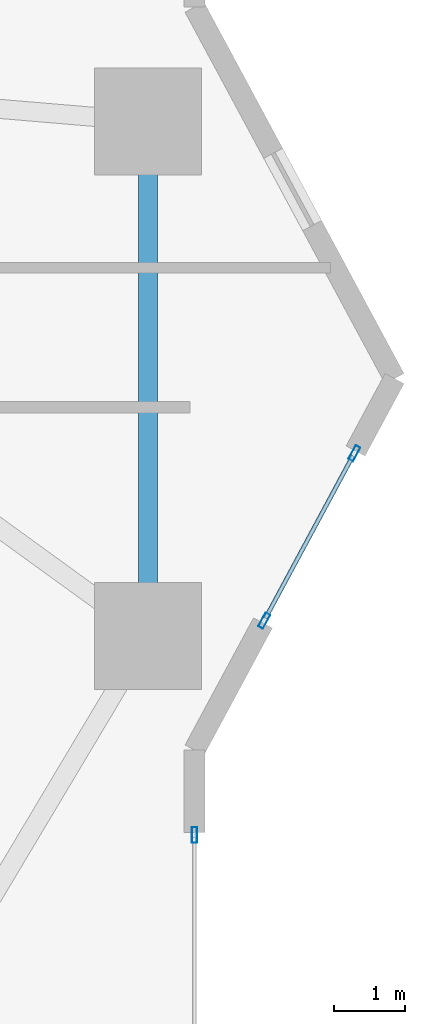
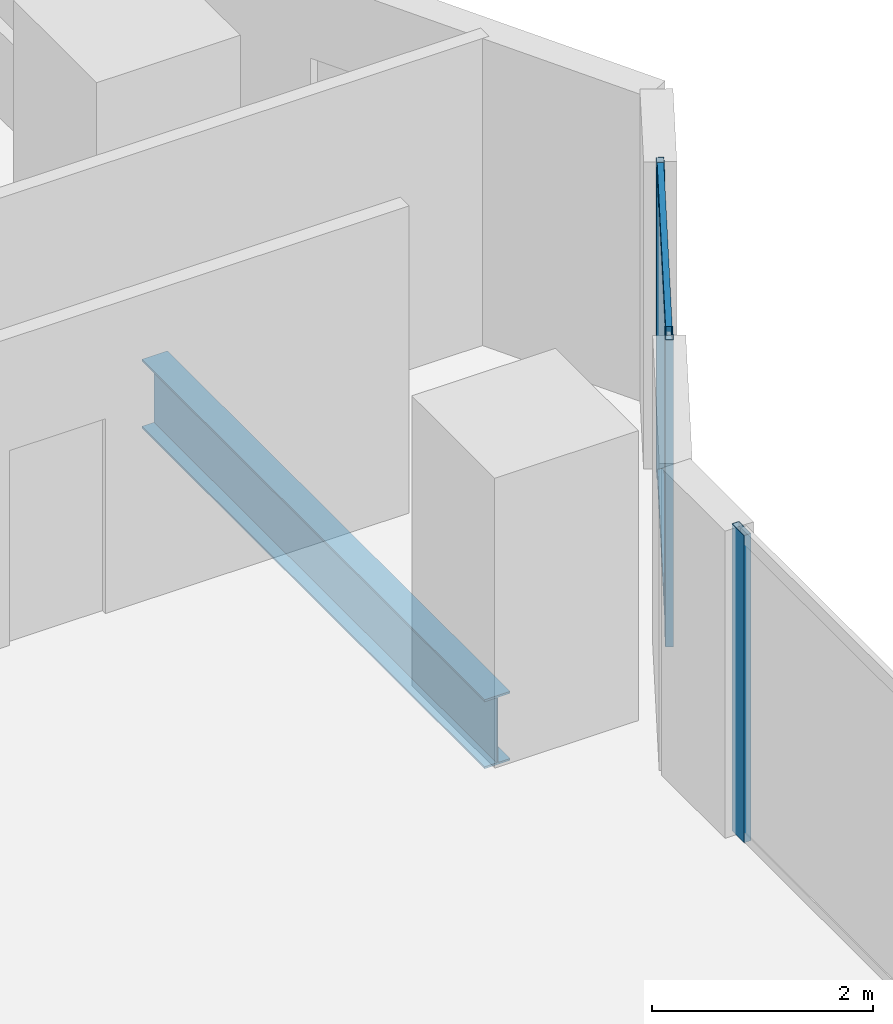
# One storey, part 12 of 30: 5 members, 1 beam, 2 elements without a shape of their own.
"""IFC4 building model written with IfcOpenShell, lengths in metres."""

from ifc_helpers import new_model, si_unit, direction, frame, origin, origin_2d, place, context, subcontext, project, spatial, hollow_rectangle, i_section, extrude, material, layer, layer_set, material_profile, profile_set, type_object, element, aggregate, save


model = new_model("IFC4")

# Units and contexts
model_context = context("Model", 3, precision=1e-05, world=origin(), true_north=direction((0.0, 1.0)))
body_context = subcontext(model_context, "Body", "Model", "MODEL_VIEW")
ifc_project = project(units=[si_unit("LENGTHUNIT", "METRE"), si_unit("AREAUNIT", "SQUARE_METRE"), si_unit("VOLUMEUNIT", "CUBIC_METRE"), si_unit("PLANEANGLEUNIT", "RADIAN"), si_unit("MASSUNIT", "GRAM", prefix="KILO")], contexts=[model_context])

# Site, building, storey
site_placement = place(None, origin())
site = spatial("IfcSite", under=ifc_project, at=site_placement, CompositionType="ELEMENT")
building_placement = place(site_placement, origin())
building = spatial("IfcBuilding", under=site, at=building_placement, Name="Zuhayl Quay Hotel", CompositionType="ELEMENT")
storey_placement = place(building_placement, frame((0.0, 0.0, 86.0)))
storey = spatial("IfcBuildingStorey", under=building, at=storey_placement, Name="L21", CompositionType="ELEMENT", Elevation=86.0)

# Beam
ifc_material_1 = material(Name="Steel ASTM A992 Grade 50", Category="steel")
ifc_material_profile_1 = material_profile(ifc_material_1, i_section(OverallWidth=0.26708984375, OverallDepth=0.761962890625, WebThickness=0.014404296875, FlangeThickness=0.021484375, at=origin_2d()), Name="W30X116")
ifc_profile_set_1 = profile_set([ifc_material_profile_1], Name="Steel ASTM A992 Grade 50")
beam_type = type_object("IfcBeamType", Name="BM_B1_W30X116", PredefinedType="BEAM", material=ifc_profile_set_1)
beam_placement = place(storey_placement, frame((25.050048828125, -3.10009765625, -0.60107421875), z_axis=(0.0, 1.0, 0.0), x_axis=(-1.0, 0.0, 0.0)))
element("IfcBeam", 1, at=beam_placement, inside=storey, type_object=beam_type, Name="L21 Floor Beam RG_L21_05", PredefinedType="BEAM", context=body_context, shape_type="SweptSolid", body=[
    extrude(i_section(OverallWidth=0.26708984375, OverallDepth=0.761962890625, WebThickness=0.014404296875, FlangeThickness=0.021484375, at=origin_2d()), origin(), (0.0, 0.0, 1.0), 6.2001953125),
])

# Curtain wall, members
ifc_material_2 = material(Name="Anodised Aluminium 6063-T6", Category="aluminium")
ifc_layer = layer(ifc_material_2, 0.18994140625, Name="Anodised Aluminium 6063-T6", Category="aluminium")
ifc_layer_set = layer_set([ifc_layer], Name="Anodised Aluminium 6063-T6")
curtain_wall_type = type_object("IfcCurtainWallType", Name="CW_SYS_Z1", PredefinedType="USERDEFINED", material=ifc_layer_set)
curtain_wall_1_placement = place(storey_placement, origin())
curtain_wall_1 = element("IfcCurtainWall", 2, at=curtain_wall_1_placement, inside=storey, type_object=curtain_wall_type, Name="L21 Curtain Wall ENV_L21_E13_CW1", ObjectType="UNITISED CURTAIN WALL", PredefinedType="USERDEFINED")
ifc_material_3 = material(Name="Black-anodised aluminium 6063-T6", Category="aluminium")
ifc_material_profile_2 = material_profile(ifc_material_3, hollow_rectangle(XDim=0.074951171875, YDim=0.219970703125, WallThickness=0.00390625, at=origin_2d()), Name="ALU220X75")
ifc_profile_set_2 = profile_set([ifc_material_profile_2], Name="Black-anodised aluminium 6063-T6")
member_type_1 = type_object("IfcMemberType", Name="MB_CW_MUL_220", PredefinedType="MULLION", material=ifc_profile_set_2)
member_1_placement = place(storey_placement, frame((27.93701171875, -1.04541015625, 0.0), z_axis=(0.0, 0.0, 1.0), x_axis=(0.880475795468, -0.474091102632, 0.0)))
member_1 = element("IfcMember", 3, at=member_1_placement, type_object=member_type_1, Name="CW-Z1 mullion 1", PredefinedType="MULLION", context=body_context, shape_type="SweptSolid", body=[
    extrude(hollow_rectangle(XDim=0.074951171875, YDim=0.219970703125, WallThickness=0.00390625, at=origin_2d()), origin(), (0.0, 0.0, 1.0), 3.389892578125),
])
member_2_placement = place(storey_placement, frame((26.67578125, -3.387939453125, 0.0), z_axis=(0.0, 0.0, 1.0), x_axis=(0.880475795468, -0.474091102632, 0.0)))
member_2 = element("IfcMember", 4, at=member_2_placement, type_object=member_type_1, Name="CW-Z1 mullion 2", PredefinedType="MULLION", context=body_context, shape_type="SweptSolid", body=[
    extrude(hollow_rectangle(XDim=0.074951171875, YDim=0.219970703125, WallThickness=0.00390625, at=origin_2d()), origin(), (0.0, 0.0, 1.0), 3.389892578125),
])

# Curtain wall, member
curtain_wall_2_placement = place(storey_placement, origin())
curtain_wall_2 = element("IfcCurtainWall", 5, at=curtain_wall_2_placement, inside=storey, type_object=curtain_wall_type, Name="L21 Curtain Wall ENV_L21_E14_CW1", ObjectType="UNITISED CURTAIN WALL", PredefinedType="USERDEFINED")
member_3_placement = place(storey_placement, frame((25.699951171875, -6.387451171875, 0.0), z_axis=(0.0, 0.0, 1.0), x_axis=(1.0, 0.0, 0.0)))
member_3 = element("IfcMember", 6, at=member_3_placement, type_object=member_type_1, Name="CW-Z1 mullion 1", PredefinedType="MULLION", context=body_context, shape_type="SweptSolid", body=[
    extrude(hollow_rectangle(XDim=0.074951171875, YDim=0.219970703125, WallThickness=0.00390625, at=origin_2d()), origin(), (0.0, 0.0, 1.0), 3.389892578125),
])
aggregate(curtain_wall_2, [member_3])

# Member
ifc_material_profile_3 = material_profile(ifc_material_3, hollow_rectangle(XDim=0.06005859375, YDim=0.14990234375, WallThickness=0.00341796875, at=origin_2d()), Name="ALU150X60")
ifc_profile_set_3 = profile_set([ifc_material_profile_3], Name="Black-anodised aluminium 6063-T6")
member_type_2 = type_object("IfcMemberType", Name="MB_CW_TRN_150", PredefinedType="USERDEFINED", material=ifc_profile_set_3)
member_4_placement = place(storey_placement, frame((27.919189453125, -1.07861328125, 0.030029296875), z_axis=(-0.474054771703, -0.880495356845, 0.0), x_axis=(0.880495356845, -0.474054771703, 0.0)))
member_4 = element("IfcMember", 7, at=member_4_placement, type_object=member_type_2, Name="CW-Z1 transom 1.1", ObjectType="TRANSOM", PredefinedType="USERDEFINED", context=body_context, shape_type="SweptSolid", body=[
    extrude(hollow_rectangle(XDim=0.06005859375, YDim=0.14990234375, WallThickness=0.00341796875, at=origin_2d()), origin(), (0.0, 0.0, 1.0), 2.585205078125),
])

member_5_placement = place(storey_placement, frame((27.919189453125, -1.07861328125, 3.360107421875), z_axis=(-0.474054771703, -0.880495356845, 0.0), x_axis=(0.880495356845, -0.474054771703, 0.0)))
member_5 = element("IfcMember", 8, at=member_5_placement, type_object=member_type_2, Name="CW-Z1 transom 1.2", ObjectType="TRANSOM", PredefinedType="USERDEFINED", context=body_context, shape_type="SweptSolid", body=[
    extrude(hollow_rectangle(XDim=0.06005859375, YDim=0.14990234375, WallThickness=0.00341796875, at=origin_2d()), origin(), (0.0, 0.0, 1.0), 2.585205078125),
])

aggregate(curtain_wall_1, [member_1, member_2, member_4, member_5])

save(model, "model.ifc")
